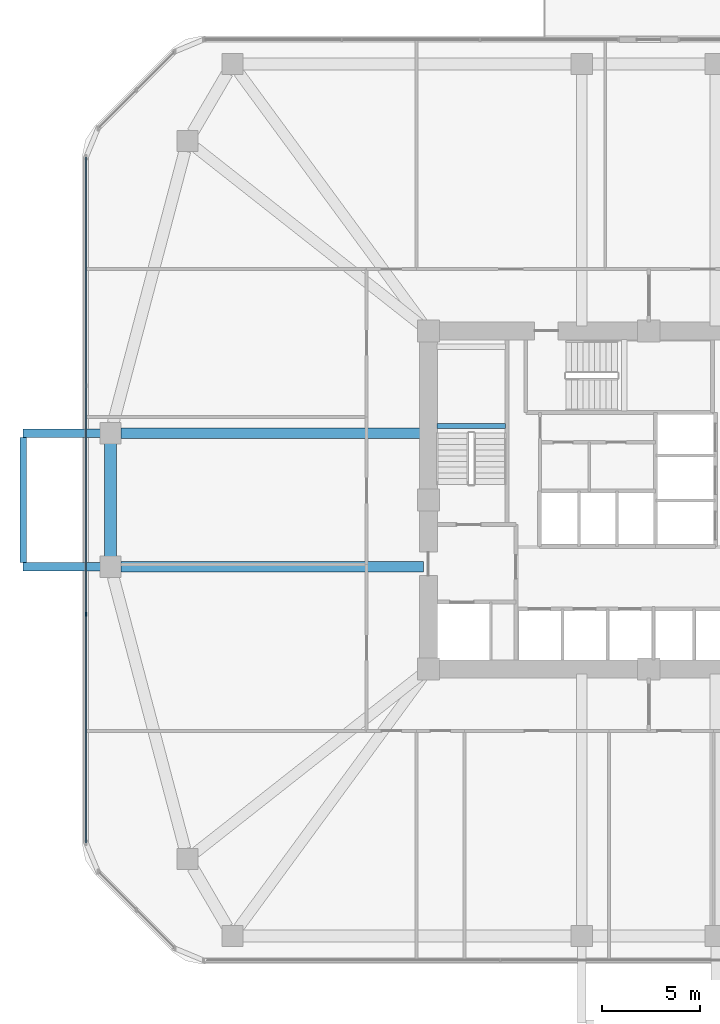
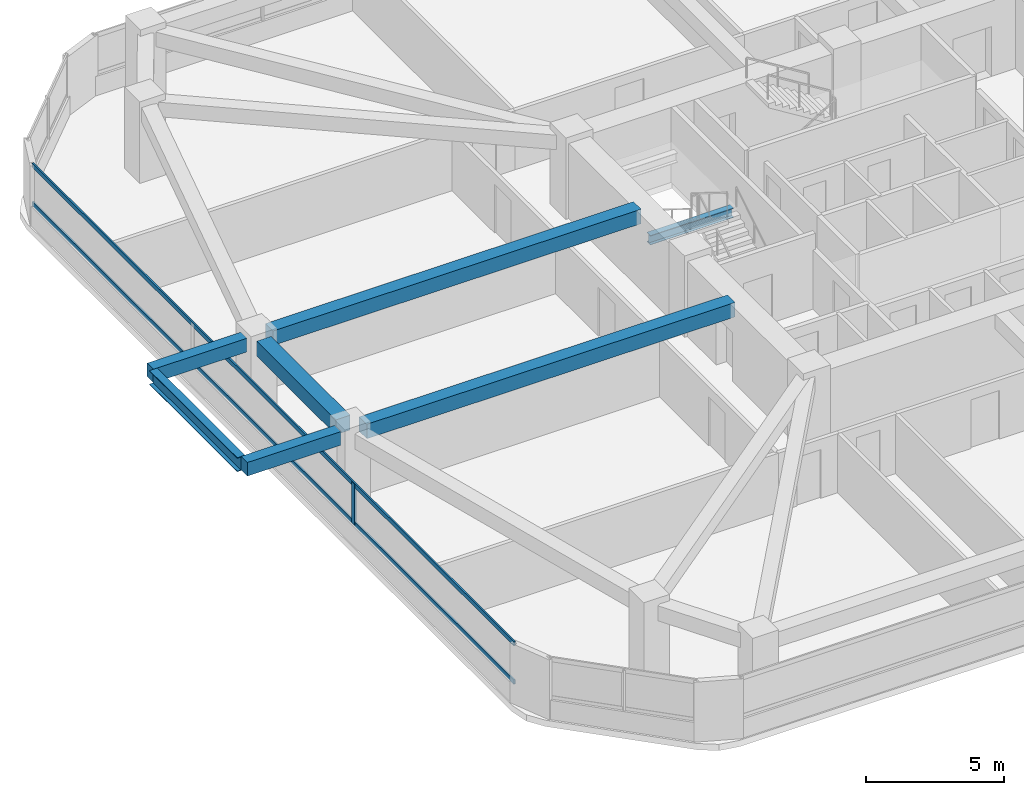
# One storey, part 4 of 14: 7 beams, 3 members, 1 element without a shape of its own.
"""IFC4 building model written with IfcOpenShell, lengths in metres."""

from ifc_helpers import new_model, si_unit, derived_unit, direction, frame, origin, origin_2d, place, context, subcontext, project, spatial, rectangle, i_section, extrude, material, material_profile, profile_set, type_object, element, aggregate, save


model = new_model("IFC4")

# Units and contexts
model_context = context("Model", 3, precision=1e-05, world=origin(), true_north=direction((0.0, 1.0)))
body_context = subcontext(model_context, "Body", "Model", "MODEL_VIEW")
ifc_project = project(units=[si_unit("LENGTHUNIT", "METRE"), si_unit("AREAUNIT", "SQUARE_METRE"), si_unit("VOLUMEUNIT", "CUBIC_METRE"), si_unit("PLANEANGLEUNIT", "RADIAN"), si_unit("MASSUNIT", "GRAM", prefix="KILO"), derived_unit("THERMALTRANSMITTANCEUNIT", [(si_unit("POWERUNIT", "WATT"), 1), (si_unit("LENGTHUNIT", "METRE"), -2), (si_unit("THERMODYNAMICTEMPERATUREUNIT", "KELVIN"), -1)])], contexts=[model_context])

# Site, building, storey
site_placement = place(None, origin())
site = spatial("IfcSite", under=ifc_project, at=site_placement, CompositionType="ELEMENT")
building_placement = place(site_placement, origin())
building = spatial("IfcBuilding", under=site, at=building_placement, Name="Koralith Skygarden Medical Center", CompositionType="ELEMENT")
storey_placement = place(building_placement, frame((0.0, 0.0, 31.139892578125)))
storey = spatial("IfcBuildingStorey", under=building, at=storey_placement, Name="L07", CompositionType="ELEMENT", Elevation=31.139892578125)

# Curtain wall, members
ifc_material_1 = material(Name="Clear Laminated Glass", Category="glass")
curtain_wall_type = type_object("IfcCurtainWallType", Name="CW-2 Zone 1 Hurricane Unitised Curtain Wall", PredefinedType="NOTDEFINED", material=ifc_material_1)
curtain_wall_placement = place(storey_placement, origin())
curtain_wall = element("IfcCurtainWall", 1, at=curtain_wall_placement, inside=storey, type_object=curtain_wall_type, Name="Curtain Wall CW-L07-W", PredefinedType="NOTDEFINED")
ifc_material_2 = material(Name="Aluminium 6063-T6", Category="aluminium")
ifc_material_profile_1 = material_profile(ifc_material_2, rectangle(XDim=0.071044921875, YDim=0.219970703125, at=origin_2d()), Name="MUL71X220")
ifc_profile_set_1 = profile_set([ifc_material_profile_1], Name="Aluminium 6063-T6")
member_type_1 = type_object("IfcMemberType", Name="CW-2 Extruded Mullion 71x220", PredefinedType="MULLION", material=ifc_profile_set_1)
member_1_placement = place(storey_placement, frame((8.3798828125, 20.0849609375, 0.85009765625), z_axis=(0.0, 0.0, 1.0), x_axis=(1.0, 0.0, 0.0)))
member_1 = element("IfcMember", 2, at=member_1_placement, type_object=member_type_1, Name="CW-L07-W Mullion 3", PredefinedType="MULLION", context=body_context, shape_type="SweptSolid", body=[
    extrude(rectangle(XDim=0.071044921875, YDim=0.219970703125, at=origin_2d()), origin(), (0.0, 0.0, 1.0), 1.800048828125),
])
ifc_material_profile_2 = material_profile(ifc_material_2, rectangle(XDim=0.06591796875, YDim=0.197998046875, at=origin_2d()), Name="TRN66X198")
ifc_profile_set_2 = profile_set([ifc_material_profile_2], Name="Aluminium 6063-T6")
member_type_2 = type_object("IfcMemberType", Name="CW-2 Thermal Transom 66x198", PredefinedType="USERDEFINED", material=ifc_profile_set_2)
member_2_placement = place(storey_placement, frame((8.3798828125, 43.344970703125, 0.900146484375), z_axis=(0.0, -1.0, 0.0), x_axis=(1.0, 0.0, 0.0)))
member_2 = element("IfcMember", 3, at=member_2_placement, type_object=member_type_2, Name="CW-L07-W Transom 1", ObjectType="TRANSOM", PredefinedType="USERDEFINED", context=body_context, shape_type="SweptSolid", body=[
    extrude(rectangle(XDim=0.06591796875, YDim=0.197998046875, at=origin_2d()), origin(), (0.0, 0.0, 1.0), 34.889892578125),
])
member_3_placement = place(storey_placement, frame((8.3798828125, 43.344970703125, 2.60009765625), z_axis=(0.0, -1.0, 0.0), x_axis=(1.0, 0.0, 0.0)))
member_3 = element("IfcMember", 4, at=member_3_placement, type_object=member_type_2, Name="CW-L07-W Transom 2", ObjectType="TRANSOM", PredefinedType="USERDEFINED", context=body_context, shape_type="SweptSolid", body=[
    extrude(rectangle(XDim=0.06591796875, YDim=0.197998046875, at=origin_2d()), origin(), (0.0, 0.0, 1.0), 34.889892578125),
])
aggregate(curtain_wall, [member_1, member_2, member_3])

# Beams
ifc_material_3 = material(Name="Steel ASTM A992 Grade 50", Category="steel")
ifc_material_profile_3 = material_profile(ifc_material_3, i_section(OverallWidth=0.326904296875, OverallDepth=0.6220703125, WebThickness=0.015380859375, FlangeThickness=0.0244140625, at=origin_2d()), Name="W24X131")
ifc_profile_set_3 = profile_set([ifc_material_profile_3], Name="Steel ASTM A992 Grade 50")
beam_type_1 = type_object("IfcBeamType", Name="Cantilever Tie Beam W24X131", PredefinedType="BEAM", material=ifc_profile_set_3)
beam_1_placement = place(storey_placement, frame((5.179931640625, 22.719970703125, 3.029052734375), z_axis=(0.0, 1.0, 0.0), x_axis=(-1.0, 0.0, 0.0)))
element("IfcBeam", 5, at=beam_1_placement, inside=storey, type_object=beam_type_1, Name="L08 W Balcony Tip Tie Beam", PredefinedType="BEAM", context=body_context, shape_type="SweptSolid", body=[
    extrude(i_section(OverallWidth=0.326904296875, OverallDepth=0.6220703125, WebThickness=0.015380859375, FlangeThickness=0.0244140625, at=origin_2d()), origin(), (0.0, 0.0, 1.0), 6.360107421875),
])
ifc_material_profile_4 = material_profile(ifc_material_3, i_section(OverallWidth=0.260009765625, OverallDepth=0.4150390625, WebThickness=0.010009765625, FlangeThickness=0.016845703125, at=origin_2d()), Name="W16X67")
ifc_profile_set_4 = profile_set([ifc_material_profile_4], Name="Steel ASTM A992 Grade 50")
beam_type_2 = type_object("IfcBeamType", Name="Clinical Floor Joist W16X67", PredefinedType="JOIST", material=ifc_profile_set_4)
beam_2_placement = place(storey_placement, frame((26.22998046875, 29.659912109375, 1.39208984375), z_axis=(1.0, 0.0, 0.0), x_axis=(0.0, 1.0, 0.0)))
element("IfcBeam", 6, at=beam_2_placement, inside=storey, type_object=beam_type_2, Name="L07 Stair ST1 Half-Landing Support Beam 1A", PredefinedType="JOIST", context=body_context, shape_type="SweptSolid", body=[
    extrude(i_section(OverallWidth=0.260009765625, OverallDepth=0.4150390625, WebThickness=0.010009765625, FlangeThickness=0.016845703125, at=origin_2d()), origin(), (0.0, 0.0, 1.0), 3.489990234375),
])
ifc_material_4 = material(Name="Concrete C45/55", Category="concrete")
ifc_material_profile_5 = material_profile(ifc_material_4, rectangle(XDim=0.449951171875, YDim=0.60009765625, at=origin_2d()), Name="RCB450X600")
ifc_profile_set_5 = profile_set([ifc_material_profile_5], Name="Concrete C45/55")
beam_type_3 = type_object("IfcBeamType", Name="Planted Balcony Cantilever Beam RCB450X600", PredefinedType="BEAM", material=ifc_profile_set_5)
for number, where, z_axis, x_axis, name in (
    (7, (9.10009765625, 22.5, 3.0400390625), (-1.0, 0.0, 0.0), (0.0, -1.0, 0.0), "L08 W Balcony Cantilever Beam A"),
    (8, (9.10009765625, 29.300048828125, 3.0400390625), (-1.0, 0.0, 0.0), (0.0, -1.0, 0.0), "L08 W Balcony Cantilever Beam B"),
):
    element("IfcBeam", number, at=place(storey_placement, frame(where, z_axis=z_axis, x_axis=x_axis)), inside=storey, type_object=beam_type_3, Name=name, PredefinedType="BEAM", context=body_context, shape_type="SweptSolid", body=[
        extrude(rectangle(XDim=0.449951171875, YDim=0.60009765625, at=origin_2d()), origin(), (0.0, 0.0, 1.0), 3.920166015625),
    ])
ifc_material_profile_6 = material_profile(ifc_material_4, rectangle(XDim=0.550048828125, YDim=0.639892578125, at=origin_2d()), Name="RCB550X640")
ifc_profile_set_6 = profile_set([ifc_material_profile_6], Name="Concrete C45/55")
beam_type_4 = type_object("IfcBeamType", Name="Radial Collector Beam RCB550X640", PredefinedType="BEAM", material=ifc_profile_set_6)
for number, where, z_axis, x_axis, name in (
    (9, (25.550048828125, 22.5, 3.0), (-1.0, 0.0, 0.0), (0.0, -1.0, 0.0), "L07 Radial Collector Beam RB-01"),
    (10, (25.550048828125, 29.300048828125, 3.0), (-1.0, 0.0, 0.0), (0.0, -1.0, 0.0), "L07 Radial Collector Beam RB-16"),
):
    element("IfcBeam", number, at=place(storey_placement, frame(where, z_axis=z_axis, x_axis=x_axis)), inside=storey, type_object=beam_type_4, Name=name, PredefinedType="BEAM", context=body_context, shape_type="SweptSolid", body=[
        extrude(rectangle(XDim=0.550048828125, YDim=0.639892578125, at=origin_2d()), origin(), (0.0, 0.0, 1.0), 15.400146484375),
    ])
ifc_material_profile_7 = material_profile(ifc_material_4, rectangle(XDim=0.60009765625, YDim=0.659912109375, at=origin_2d()), Name="RCB600X660")
ifc_profile_set_7 = profile_set([ifc_material_profile_7], Name="Concrete C45/55")
beam_type_5 = type_object("IfcBeamType", Name="Zone 1 Spandrel Beam RCB600X660", PredefinedType="SPANDREL", material=ifc_profile_set_7)
beam_3_placement = place(storey_placement, frame((9.6201171875, 28.77001953125, 2.989990234375), z_axis=(0.0, -1.0, 0.0), x_axis=(1.0, 0.0, 0.0)))
element("IfcBeam", 11, at=beam_3_placement, inside=storey, type_object=beam_type_5, Name="L07 Perimeter Spandrel Beam SP-16", PredefinedType="SPANDREL", context=body_context, shape_type="SweptSolid", body=[
    extrude(rectangle(XDim=0.60009765625, YDim=0.659912109375, at=origin_2d()), origin(), (0.0, 0.0, 1.0), 5.739990234375),
])

save(model, "model.ifc")
